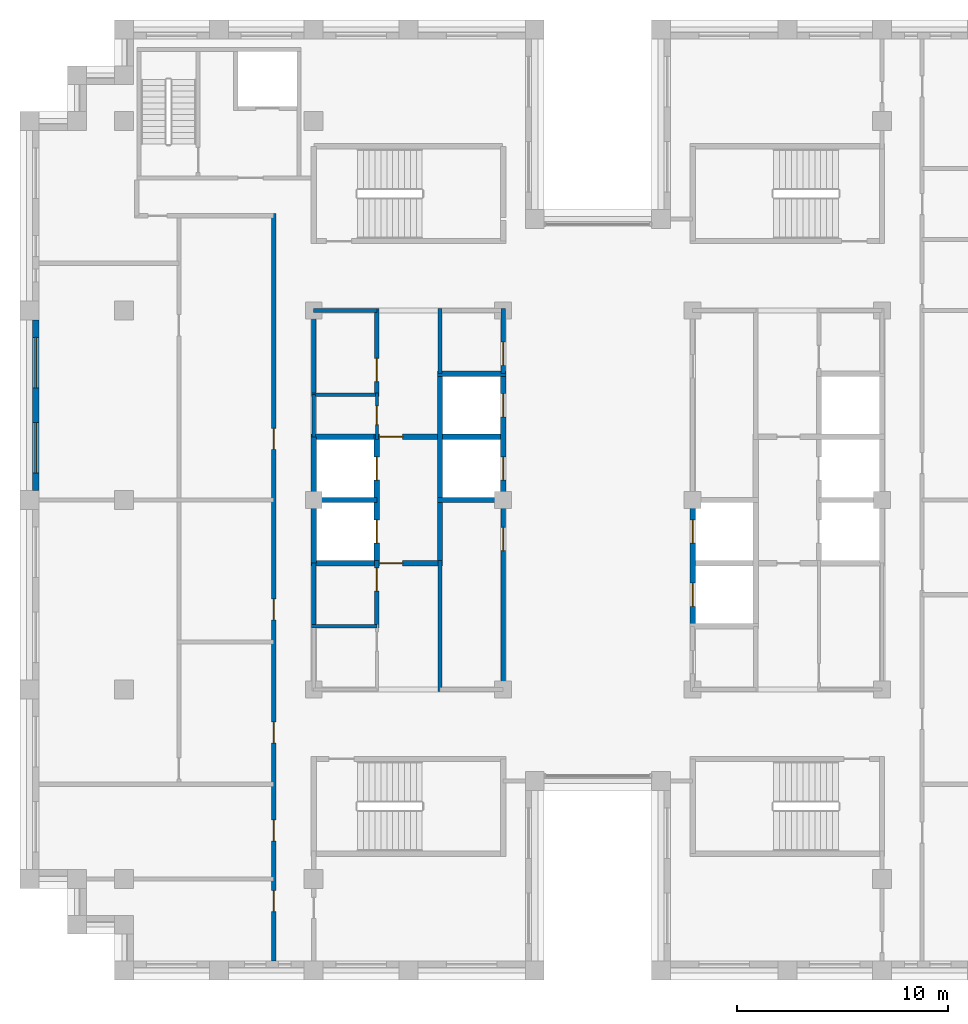
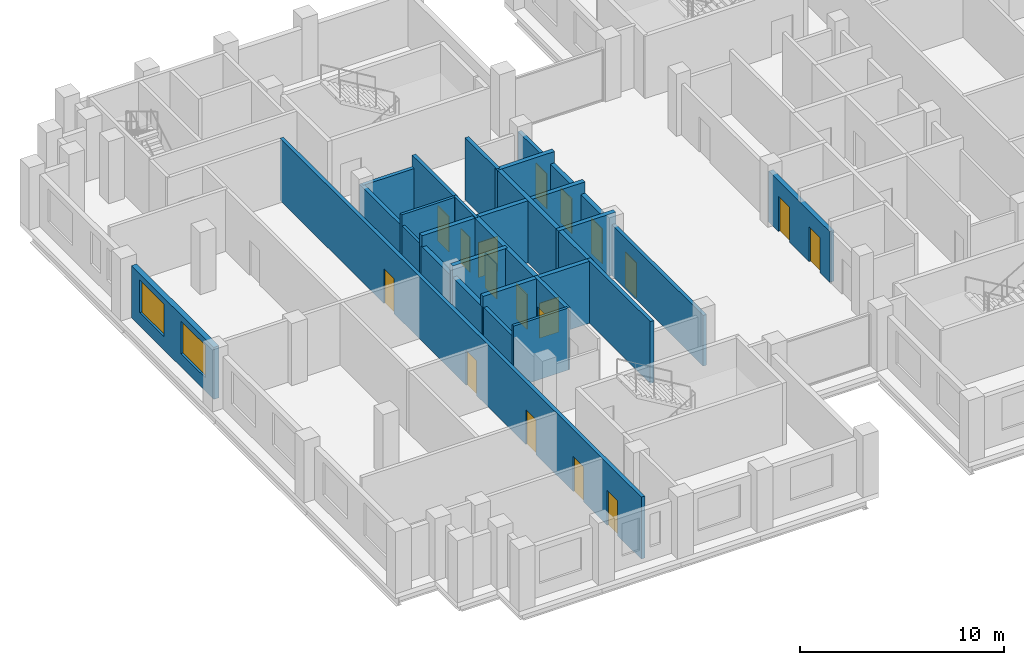
# One storey, part 7 of 13: 25 walls, 18 doors, 2 windows, 20 openings.
"""IFC4 building model written with IfcOpenShell, lengths in metres."""

from ifc_helpers import new_model, si_unit, direction, frame, frame_2d, origin, place, context, subcontext, project, spatial, rectangle, extrude, material, layer, layer_set, type_object, element, fill, save


model = new_model("IFC4")

# Units and contexts
model_context = context("Model", 3, precision=1e-05, world=origin(), true_north=direction((0.0, 1.0)))
body_context = subcontext(model_context, "Body", "Model", "MODEL_VIEW")
ifc_project = project(units=[si_unit("LENGTHUNIT", "METRE"), si_unit("AREAUNIT", "SQUARE_METRE"), si_unit("VOLUMEUNIT", "CUBIC_METRE"), si_unit("PLANEANGLEUNIT", "RADIAN"), si_unit("MASSUNIT", "GRAM", prefix="KILO")], contexts=[model_context])

# Site, building, storey
site_placement = place(None, origin())
site = spatial("IfcSite", under=ifc_project, at=site_placement, CompositionType="ELEMENT")
building_placement = place(site_placement, origin())
building = spatial("IfcBuilding", under=site, at=building_placement, Name="Corbelhall Arena Tower", CompositionType="ELEMENT")
storey_placement = place(building_placement, frame((0.0, 0.0, 254.0)))
storey = spatial("IfcBuildingStorey", under=building, at=storey_placement, Name="L54", CompositionType="ELEMENT", Elevation=254.0)

# Wall, openings, windows
ifc_material_1 = material(Name="Precast concrete C40/50 with granite facing", Category="masonry")
ifc_layer_1 = layer(ifc_material_1, 0.300048828125)
ifc_layer_set_1 = layer_set([ifc_layer_1], Name="EV-IW1 Infill panel 300")
wall_type_1 = type_object("IfcWallType", Name="EV-IW1 Infill panel 300", PredefinedType="SOLIDWALL", material=ifc_layer_set_1)
wall_1_placement = place(storey_placement, frame((-26.699951171875, 8.550048828125, 0.0), z_axis=(0.0, 0.0, 1.0), x_axis=(0.0, -1.0, 0.0)))
wall_1 = element("IfcWall", 1, at=wall_1_placement, inside=storey, type_object=wall_type_1, Name="Infill panel IW1", PredefinedType="SOLIDWALL", context=body_context, shape_type="SweptSolid", body=[
    extrude(rectangle(XDim=8.10009765625, YDim=0.300048828125, at=frame_2d((4.050048828125, 0.0))), origin(), (0.0, 0.0, 1.0), 3.1201171875),
])
opening_1_placement = place(wall_1_placement, frame((0.824951171875, 0.0, 0.800048828125)))
opening_1 = element("IfcOpeningElement", 2, at=opening_1_placement, cuts=wall_1, Name="Opening WN1", PredefinedType="OPENING", context=body_context, shape_type="SweptSolid", body=[
    extrude(rectangle(XDim=2.39990234375, YDim=1.949951171875, at=frame_2d((1.199951171875, 0.97509765625))), frame((0.0, 0.14990234375, 0.0), z_axis=(0.0, -1.0, 0.0), x_axis=(1.0, 0.0, 0.0)), (0.0, 0.0, 1.0), 0.300048828125),
])
opening_2_placement = place(wall_1_placement, frame((4.875, 0.0, 0.800048828125)))
opening_2 = element("IfcOpeningElement", 3, at=opening_2_placement, cuts=wall_1, Name="Opening WN1", PredefinedType="OPENING", context=body_context, shape_type="SweptSolid", body=[
    extrude(rectangle(XDim=2.39990234375, YDim=1.949951171875, at=frame_2d((1.199951171875, 0.97509765625))), frame((0.0, 0.14990234375, 0.0), z_axis=(0.0, -1.0, 0.0), x_axis=(1.0, 0.0, 0.0)), (0.0, 0.0, 1.0), 0.300048828125),
])
ifc_material_2 = material(Name="Aluminium black anodised", Category="aluminium")
window_type = type_object("IfcWindowType", Name="EV-WN1 Office window", PartitioningType="SINGLE_PANEL", PredefinedType="WINDOW", material=ifc_material_2)
window_1_placement = place(opening_1_placement, origin())
window_1 = element("IfcWindow", 4, at=window_1_placement, inside=storey, type_object=window_type, Name="Window WN1", OverallHeight=1.949951171875, OverallWidth=2.39990234375, PartitioningType="SINGLE_PANEL", PredefinedType="WINDOW", context=body_context, shape_type="SweptSolid", body=[
    extrude(rectangle(XDim=2.39990234375, YDim=1.949951171875, at=frame_2d((1.199951171875, 0.97509765625))), frame((0.0, 0.030029296875, 0.0), z_axis=(0.0, -1.0, 0.0), x_axis=(1.0, 0.0, 0.0)), (0.0, 0.0, 1.0), 0.06005859375),
])
fill(opening_1, window_1)
window_2_placement = place(opening_2_placement, origin())
window_2 = element("IfcWindow", 5, at=window_2_placement, inside=storey, type_object=window_type, Name="Window WN1", OverallHeight=1.949951171875, OverallWidth=2.39990234375, PartitioningType="SINGLE_PANEL", PredefinedType="WINDOW", context=body_context, shape_type="SweptSolid", body=[
    extrude(rectangle(XDim=2.39990234375, YDim=1.949951171875, at=frame_2d((1.199951171875, 0.97509765625))), frame((0.0, 0.030029296875, 0.0), z_axis=(0.0, -1.0, 0.0), x_axis=(1.0, 0.0, 0.0)), (0.0, 0.0, 1.0), 0.06005859375),
])
fill(opening_2, window_2)

# Wall, openings, doors
ifc_material_3 = material(Name="Gypsum board on steel stud, acoustic", Category="steel")
ifc_layer_2 = layer(ifc_material_3, 0.199951171875)
ifc_layer_set_2 = layer_set([ifc_layer_2], Name="IN-W-DM200")
wall_type_2 = type_object("IfcWallType", Name="IN-W-DM200", PredefinedType="PARTITIONING", material=ifc_layer_set_2)
wall_2_placement = place(storey_placement, frame((-15.39990234375, -21.89990234375, 0.0), z_axis=(0.0, 0.0, 1.0), x_axis=(0.0, 1.0, 0.0)))
wall_2 = element("IfcWall", 6, at=wall_2_placement, inside=storey, type_object=wall_type_2, Name="Partition 009", PredefinedType="PARTITIONING", context=body_context, shape_type="SweptSolid", body=[
    extrude(rectangle(XDim=35.5, YDim=0.199951171875, at=frame_2d((17.75, 0.0))), origin(), (0.0, 0.0, 1.0), 3.719970703125),
])
opening_3_placement = place(wall_2_placement, frame((24.300048828125, 0.0, 0.0)))
opening_3 = element("IfcOpeningElement", 7, at=opening_3_placement, cuts=wall_2, Name="Opening 17022", PredefinedType="OPENING", context=body_context, shape_type="SweptSolid", body=[
    extrude(rectangle(XDim=1.0, YDim=2.10009765625, at=frame_2d((0.5, 1.050048828125))), frame((0.0, 0.10009765625, 0.0), z_axis=(0.0, -1.0, 0.0), x_axis=(1.0, 0.0, 0.0)), (0.0, 0.0, 1.0), 0.199951171875),
])
opening_4_placement = place(wall_2_placement, frame((2.35009765625, 0.0, 0.0)))
opening_4 = element("IfcOpeningElement", 8, at=opening_4_placement, cuts=wall_2, Name="Opening 17024", PredefinedType="OPENING", context=body_context, shape_type="SweptSolid", body=[
    extrude(rectangle(XDim=1.0, YDim=2.10009765625, at=frame_2d((0.5, 1.050048828125))), frame((0.0, 0.10009765625, 0.0), z_axis=(0.0, -1.0, 0.0), x_axis=(1.0, 0.0, 0.0)), (0.0, 0.0, 1.0), 0.199951171875),
])
opening_5_placement = place(wall_2_placement, frame((5.699951171875, 0.0, 0.0)))
opening_5 = element("IfcOpeningElement", 9, at=opening_5_placement, cuts=wall_2, Name="Opening 17025", PredefinedType="OPENING", context=body_context, shape_type="SweptSolid", body=[
    extrude(rectangle(XDim=1.0, YDim=2.10009765625, at=frame_2d((0.5, 1.050048828125))), frame((0.0, 0.10009765625, 0.0), z_axis=(0.0, -1.0, 0.0), x_axis=(1.0, 0.0, 0.0)), (0.0, 0.0, 1.0), 0.199951171875),
])
opening_6_placement = place(wall_2_placement, frame((10.35009765625, 0.0, 0.0)))
opening_6 = element("IfcOpeningElement", 10, at=opening_6_placement, cuts=wall_2, Name="Opening 17026", PredefinedType="OPENING", context=body_context, shape_type="SweptSolid", body=[
    extrude(rectangle(XDim=1.0, YDim=2.10009765625, at=frame_2d((0.5, 1.050048828125))), frame((0.0, 0.10009765625, 0.0), z_axis=(0.0, -1.0, 0.0), x_axis=(1.0, 0.0, 0.0)), (0.0, 0.0, 1.0), 0.199951171875),
])
opening_7_placement = place(wall_2_placement, frame((16.199951171875, 0.0, 0.0)))
opening_7 = element("IfcOpeningElement", 11, at=opening_7_placement, cuts=wall_2, Name="Opening 17027", PredefinedType="OPENING", context=body_context, shape_type="SweptSolid", body=[
    extrude(rectangle(XDim=1.0, YDim=2.10009765625, at=frame_2d((0.5, 1.050048828125))), frame((0.0, 0.10009765625, 0.0), z_axis=(0.0, -1.0, 0.0), x_axis=(1.0, 0.0, 0.0)), (0.0, 0.0, 1.0), 0.199951171875),
])
ifc_material_4 = material(Name="Steel door set", Category="steel")
door_type_1 = type_object("IfcDoorType", Name="IN-D-SW100", OperationType="NOTDEFINED", PredefinedType="DOOR", material=ifc_material_4)
door_1_placement = place(opening_3_placement, origin())
door_1 = element("IfcDoor", 12, at=door_1_placement, inside=storey, type_object=door_type_1, Name="Door 022", OperationType="SINGLE_SWING_LEFT", OverallHeight=2.10009765625, OverallWidth=1.0, PredefinedType="DOOR", context=body_context, shape_type="SweptSolid", body=[
    extrude(rectangle(XDim=1.0, YDim=2.10009765625, at=frame_2d((0.5, 1.050048828125))), frame((0.0, 0.02490234375, 0.0), z_axis=(0.0, -1.0, 0.0), x_axis=(1.0, 0.0, 0.0)), (0.0, 0.0, 1.0), 0.050048828125),
])
fill(opening_3, door_1)
door_2_placement = place(opening_4_placement, origin())
door_2 = element("IfcDoor", 13, at=door_2_placement, inside=storey, type_object=door_type_1, Name="Door 024", OperationType="SINGLE_SWING_LEFT", OverallHeight=2.10009765625, OverallWidth=1.0, PredefinedType="DOOR", context=body_context, shape_type="SweptSolid", body=[
    extrude(rectangle(XDim=1.0, YDim=2.10009765625, at=frame_2d((0.5, 1.050048828125))), frame((0.0, 0.02490234375, 0.0), z_axis=(0.0, -1.0, 0.0), x_axis=(1.0, 0.0, 0.0)), (0.0, 0.0, 1.0), 0.050048828125),
])
fill(opening_4, door_2)
door_3_placement = place(opening_5_placement, origin())
door_3 = element("IfcDoor", 14, at=door_3_placement, inside=storey, type_object=door_type_1, Name="Door 025", OperationType="SINGLE_SWING_RIGHT", OverallHeight=2.10009765625, OverallWidth=1.0, PredefinedType="DOOR", context=body_context, shape_type="SweptSolid", body=[
    extrude(rectangle(XDim=1.0, YDim=2.10009765625, at=frame_2d((0.5, 1.050048828125))), frame((0.0, 0.02490234375, 0.0), z_axis=(0.0, -1.0, 0.0), x_axis=(1.0, 0.0, 0.0)), (0.0, 0.0, 1.0), 0.050048828125),
])
fill(opening_5, door_3)
door_4_placement = place(opening_6_placement, origin())
door_4 = element("IfcDoor", 15, at=door_4_placement, inside=storey, type_object=door_type_1, Name="Door 026", OperationType="SINGLE_SWING_LEFT", OverallHeight=2.10009765625, OverallWidth=1.0, PredefinedType="DOOR", context=body_context, shape_type="SweptSolid", body=[
    extrude(rectangle(XDim=1.0, YDim=2.10009765625, at=frame_2d((0.5, 1.050048828125))), frame((0.0, 0.02490234375, 0.0), z_axis=(0.0, -1.0, 0.0), x_axis=(1.0, 0.0, 0.0)), (0.0, 0.0, 1.0), 0.050048828125),
])
fill(opening_6, door_4)
door_5_placement = place(opening_7_placement, origin())
door_5 = element("IfcDoor", 16, at=door_5_placement, inside=storey, type_object=door_type_1, Name="Door 027", OperationType="SINGLE_SWING_RIGHT", OverallHeight=2.10009765625, OverallWidth=1.0, PredefinedType="DOOR", context=body_context, shape_type="SweptSolid", body=[
    extrude(rectangle(XDim=1.0, YDim=2.10009765625, at=frame_2d((0.5, 1.050048828125))), frame((0.0, 0.02490234375, 0.0), z_axis=(0.0, -1.0, 0.0), x_axis=(1.0, 0.0, 0.0)), (0.0, 0.0, 1.0), 0.050048828125),
])
fill(opening_7, door_5)

# Wall, opening, door
ifc_material_5 = material(Name="Concrete block wall", Category="concrete")
ifc_layer_3 = layer(ifc_material_5, 0.199951171875)
ifc_layer_set_3 = layer_set([ifc_layer_3], Name="IN-W-RS200")
wall_type_3 = type_object("IfcWallType", Name="IN-W-RS200", PredefinedType="SOLIDWALL", material=ifc_layer_set_3)
wall_3_placement = place(storey_placement, frame((-10.5, -6.074951171875, 0.0), z_axis=(0.0, 0.0, 1.0), x_axis=(0.0, 1.0, 0.0)))
wall_3 = element("IfcWall", 17, at=wall_3_placement, inside=storey, type_object=wall_type_3, Name="Partition 028", PredefinedType="SOLIDWALL", context=body_context, shape_type="SweptSolid", body=[
    extrude(rectangle(XDim=3.199951171875, YDim=0.199951171875, at=frame_2d((1.60009765625, 0.0))), origin(), (0.0, 0.0, 1.0), 3.719970703125),
])
opening_8_placement = place(wall_3_placement, frame((1.75, 0.0, 0.0)))
opening_8 = element("IfcOpeningElement", 18, at=opening_8_placement, cuts=wall_3, Name="Opening 17006", PredefinedType="OPENING", context=body_context, shape_type="SweptSolid", body=[
    extrude(rectangle(XDim=1.10009765625, YDim=2.10009765625, at=frame_2d((0.550048828125, 1.050048828125))), frame((0.0, 0.10009765625, 0.0), z_axis=(0.0, -1.0, 0.0), x_axis=(1.0, 0.0, 0.0)), (0.0, 0.0, 1.0), 0.199951171875),
])
door_type_2 = type_object("IfcDoorType", Name="IN-D-FD110", OperationType="NOTDEFINED", PredefinedType="DOOR", material=ifc_material_4)
door_6_placement = place(opening_8_placement, origin())
door_6 = element("IfcDoor", 19, at=door_6_placement, inside=storey, type_object=door_type_2, Name="Door 006", OperationType="SINGLE_SWING_LEFT", OverallHeight=2.10009765625, OverallWidth=1.10009765625, PredefinedType="DOOR", context=body_context, shape_type="SweptSolid", body=[
    extrude(rectangle(XDim=1.10009765625, YDim=2.10009765625, at=frame_2d((0.550048828125, 1.050048828125))), frame((0.0, 0.02490234375, 0.0), z_axis=(0.0, -1.0, 0.0), x_axis=(1.0, 0.0, 0.0)), (0.0, 0.0, 1.0), 0.050048828125),
])
fill(opening_8, door_6)

wall_4_placement = place(storey_placement, frame((-10.5, 4.925048828125, 0.0), z_axis=(0.0, 0.0, 1.0), x_axis=(0.0, 1.0, 0.0)))
wall_4 = element("IfcWall", 20, at=wall_4_placement, inside=storey, type_object=wall_type_3, Name="Partition 029", PredefinedType="SOLIDWALL", context=body_context, shape_type="SweptSolid", body=[
    extrude(rectangle(XDim=4.175048828125, YDim=0.199951171875, at=frame_2d((2.08740234375, 0.0))), origin(), (0.0, 0.0, 1.0), 3.719970703125),
])
opening_9_placement = place(wall_4_placement, frame((0.699951171875, 0.0, 0.0)))
opening_9 = element("IfcOpeningElement", 21, at=opening_9_placement, cuts=wall_4, Name="Opening 17008", PredefinedType="OPENING", context=body_context, shape_type="SweptSolid", body=[
    extrude(rectangle(XDim=1.10009765625, YDim=2.10009765625, at=frame_2d((0.550048828125, 1.050048828125))), frame((0.0, 0.10009765625, 0.0), z_axis=(0.0, -1.0, 0.0), x_axis=(1.0, 0.0, 0.0)), (0.0, 0.0, 1.0), 0.199951171875),
])
door_7_placement = place(opening_9_placement, origin())
door_7 = element("IfcDoor", 22, at=door_7_placement, inside=storey, type_object=door_type_2, Name="Door 008", OperationType="SINGLE_SWING_LEFT", OverallHeight=2.10009765625, OverallWidth=1.10009765625, PredefinedType="DOOR", context=body_context, shape_type="SweptSolid", body=[
    extrude(rectangle(XDim=1.10009765625, YDim=2.10009765625, at=frame_2d((0.550048828125, 1.050048828125))), frame((0.0, 0.02490234375, 0.0), z_axis=(0.0, -1.0, 0.0), x_axis=(1.0, 0.0, 0.0)), (0.0, 0.0, 1.0), 0.050048828125),
])
fill(opening_9, door_7)

# Walls
wall_5_placement = place(storey_placement, frame((-7.5, -9.10009765625, 0.0), z_axis=(0.0, 0.0, 1.0), x_axis=(0.0, 1.0, 0.0)))
element("IfcWall", 23, at=wall_5_placement, inside=storey, type_object=wall_type_3, Name="Partition 030", PredefinedType="SOLIDWALL", context=body_context, shape_type="SweptSolid", body=[
    extrude(rectangle(XDim=6.22509765625, YDim=0.199951171875, at=frame_2d((3.112548828125, 0.0))), origin(), (0.0, 0.0, 1.0), 3.719970703125),
])
wall_6_placement = place(storey_placement, frame((-7.5, 6.0, 0.0), z_axis=(0.0, 0.0, 1.0), x_axis=(0.0, 1.0, 0.0)))
element("IfcWall", 24, at=wall_6_placement, inside=storey, type_object=wall_type_3, Name="Partition 031", PredefinedType="SOLIDWALL", context=body_context, shape_type="SweptSolid", body=[
    extrude(rectangle(XDim=3.10009765625, YDim=0.199951171875, at=frame_2d((1.550048828125, 0.0))), origin(), (0.0, 0.0, 1.0), 3.719970703125),
])
ifc_layer_4 = layer(ifc_material_5, 0.199951171875)
ifc_layer_set_4 = layer_set([ifc_layer_4], Name="IN-W-RS200 under beam 678 mm")
wall_type_4 = type_object("IfcWallType", Name="IN-W-RS200 under beam 678 mm", PredefinedType="SOLIDWALL", material=ifc_layer_set_4)
wall_7_placement = place(storey_placement, frame((-13.5, -6.0, 0.0), z_axis=(0.0, 0.0, 1.0), x_axis=(0.0, 1.0, 0.0)))
element("IfcWall", 25, at=wall_7_placement, inside=storey, type_object=wall_type_4, Name="Partition 025", PredefinedType="SOLIDWALL", context=body_context, shape_type="SweptSolid", body=[
    extrude(rectangle(XDim=3.0, YDim=0.199951171875, at=frame_2d((1.5, 0.0))), origin(), (0.0, 0.0, 1.0), 3.041748046875),
])
wall_8_placement = place(storey_placement, frame((-13.5, 5.0, 0.0), z_axis=(0.0, 0.0, 1.0), x_axis=(0.0, 1.0, 0.0)))
element("IfcWall", 26, at=wall_8_placement, inside=storey, type_object=wall_type_4, Name="Partition 026", PredefinedType="SOLIDWALL", context=body_context, shape_type="SweptSolid", body=[
    extrude(rectangle(XDim=4.10009765625, YDim=0.199951171875, at=frame_2d((2.050048828125, 0.0))), origin(), (0.0, 0.0, 1.0), 3.041748046875),
])
wall_9_placement = place(storey_placement, frame((-13.5, 9.0, 0.0), z_axis=(0.0, 0.0, 1.0), x_axis=(1.0, 0.0, 0.0)))
element("IfcWall", 27, at=wall_9_placement, inside=storey, type_object=wall_type_4, Name="Partition 027", PredefinedType="SOLIDWALL", context=body_context, shape_type="SweptSolid", body=[
    extrude(rectangle(XDim=3.0, YDim=0.199951171875, at=frame_2d((1.5, 0.0))), origin(), (0.0, 0.0, 1.0), 3.041748046875),
])

# Wall, opening, door
wall_10_placement = place(storey_placement, frame((-4.5, 0.0, 0.0), z_axis=(0.0, 0.0, 1.0), x_axis=(0.0, -1.0, 0.0)))
wall_10 = element("IfcWall", 28, at=wall_10_placement, inside=storey, type_object=wall_type_4, Name="Partition 034", PredefinedType="SOLIDWALL", context=body_context, shape_type="SweptSolid", body=[
    extrude(rectangle(XDim=9.10009765625, YDim=0.199951171875, at=frame_2d((4.550048828125, 0.0))), origin(), (0.0, 0.0, 1.0), 3.041748046875),
])
opening_10_placement = place(wall_10_placement, frame((1.300048828125, 0.0, 0.0)))
opening_10 = element("IfcOpeningElement", 29, at=opening_10_placement, cuts=wall_10, Name="Opening 17001", PredefinedType="OPENING", context=body_context, shape_type="SweptSolid", body=[
    extrude(rectangle(XDim=1.10009765625, YDim=2.10009765625, at=frame_2d((0.550048828125, 1.050048828125))), frame((0.0, 0.10009765625, 0.0), z_axis=(0.0, -1.0, 0.0), x_axis=(1.0, 0.0, 0.0)), (0.0, 0.0, 1.0), 0.199951171875),
])
door_8_placement = place(opening_10_placement, origin())
door_8 = element("IfcDoor", 30, at=door_8_placement, inside=storey, type_object=door_type_2, Name="Door 001", OperationType="SINGLE_SWING_RIGHT", OverallHeight=2.10009765625, OverallWidth=1.10009765625, PredefinedType="DOOR", context=body_context, shape_type="SweptSolid", body=[
    extrude(rectangle(XDim=1.10009765625, YDim=2.10009765625, at=frame_2d((0.550048828125, 1.050048828125))), frame((0.0, 0.02490234375, 0.0), z_axis=(0.0, -1.0, 0.0), x_axis=(1.0, 0.0, 0.0)), (0.0, 0.0, 1.0), 0.050048828125),
])
fill(opening_10, door_8)

wall_11_placement = place(storey_placement, frame((-4.5, 9.10009765625, 0.0), z_axis=(0.0, 0.0, 1.0), x_axis=(0.0, -1.0, 0.0)))
wall_11 = element("IfcWall", 31, at=wall_11_placement, inside=storey, type_object=wall_type_4, Name="Partition 035", PredefinedType="SOLIDWALL", context=body_context, shape_type="SweptSolid", body=[
    extrude(rectangle(XDim=3.10009765625, YDim=0.199951171875, at=frame_2d((1.550048828125, 0.0))), origin(), (0.0, 0.0, 1.0), 3.041748046875),
])
opening_11_placement = place(wall_11_placement, frame((1.60009765625, 0.0, 0.0)))
opening_11 = element("IfcOpeningElement", 32, at=opening_11_placement, cuts=wall_11, Name="Opening 17002", PredefinedType="OPENING", context=body_context, shape_type="SweptSolid", body=[
    extrude(rectangle(XDim=1.10009765625, YDim=2.10009765625, at=frame_2d((0.550048828125, 1.050048828125))), frame((0.0, 0.10009765625, 0.0), z_axis=(0.0, -1.0, 0.0), x_axis=(1.0, 0.0, 0.0)), (0.0, 0.0, 1.0), 0.199951171875),
])
door_9_placement = place(opening_11_placement, origin())
door_9 = element("IfcDoor", 33, at=door_9_placement, inside=storey, type_object=door_type_2, Name="Door 002", OperationType="SINGLE_SWING_LEFT", OverallHeight=2.10009765625, OverallWidth=1.10009765625, PredefinedType="DOOR", context=body_context, shape_type="SweptSolid", body=[
    extrude(rectangle(XDim=1.10009765625, YDim=2.10009765625, at=frame_2d((0.550048828125, 1.050048828125))), frame((0.0, 0.02490234375, 0.0), z_axis=(0.0, -1.0, 0.0), x_axis=(1.0, 0.0, 0.0)), (0.0, 0.0, 1.0), 0.050048828125),
])
fill(opening_11, door_9)

# Wall
ifc_material_6 = material(Name="Concrete C40/50", Category="concrete")
ifc_layer_5 = layer(ifc_material_6, 0.25)
ifc_layer_set_5 = layer_set([ifc_layer_5], Name="IN-W-SH250")
wall_type_5 = type_object("IfcWallType", Name="IN-W-SH250", PredefinedType="SOLIDWALL", material=ifc_layer_set_5)
wall_12_placement = place(storey_placement, frame((-13.625, 0.0, 0.0), z_axis=(0.0, 0.0, 1.0), x_axis=(1.0, 0.0, 0.0)))
element("IfcWall", 34, at=wall_12_placement, inside=storey, type_object=wall_type_5, Name="Shaft wall 045", PredefinedType="SOLIDWALL", context=body_context, shape_type="SweptSolid", body=[
    extrude(rectangle(XDim=3.125, YDim=0.25, at=frame_2d((1.5625, 0.0))), origin(), (0.0, 0.0, 1.0), 3.719970703125),
])

# Wall, opening, door
wall_13_placement = place(storey_placement, frame((-13.625, 3.0, 0.0), z_axis=(0.0, 0.0, 1.0), x_axis=(1.0, 0.0, 0.0)))
wall_13 = element("IfcWall", 35, at=wall_13_placement, inside=storey, type_object=wall_type_5, Name="Shaft wall 046", PredefinedType="SOLIDWALL", context=body_context, shape_type="SweptSolid", body=[
    extrude(rectangle(XDim=9.25, YDim=0.25, at=frame_2d((4.625, 0.0))), origin(), (0.0, 0.0, 1.0), 3.719970703125),
])
opening_12_placement = place(wall_13_placement, frame((3.25, 0.0, 0.0)))
opening_12 = element("IfcOpeningElement", 36, at=opening_12_placement, cuts=wall_13, Name="Opening 17004", PredefinedType="OPENING", context=body_context, shape_type="SweptSolid", body=[
    extrude(rectangle(XDim=1.10009765625, YDim=2.10009765625, at=frame_2d((0.550048828125, 1.050048828125))), frame((0.0, 0.125, 0.0), z_axis=(0.0, -1.0, 0.0), x_axis=(1.0, 0.0, 0.0)), (0.0, 0.0, 1.0), 0.25),
])
door_10_placement = place(opening_12_placement, origin())
door_10 = element("IfcDoor", 37, at=door_10_placement, inside=storey, type_object=door_type_2, Name="Door 004", OperationType="SINGLE_SWING_LEFT", OverallHeight=2.10009765625, OverallWidth=1.10009765625, PredefinedType="DOOR", context=body_context, shape_type="SweptSolid", body=[
    extrude(rectangle(XDim=1.10009765625, YDim=2.10009765625, at=frame_2d((0.550048828125, 1.050048828125))), frame((0.0, 0.02490234375, 0.0), z_axis=(0.0, -1.0, 0.0), x_axis=(1.0, 0.0, 0.0)), (0.0, 0.0, 1.0), 0.050048828125),
])
fill(opening_12, door_10)

wall_14_placement = place(storey_placement, frame((-13.625, -3.0, 0.0), z_axis=(0.0, 0.0, 1.0), x_axis=(1.0, 0.0, 0.0)))
wall_14 = element("IfcWall", 38, at=wall_14_placement, inside=storey, type_object=wall_type_5, Name="Shaft wall 048", PredefinedType="SOLIDWALL", context=body_context, shape_type="SweptSolid", body=[
    extrude(rectangle(XDim=6.125, YDim=0.25, at=frame_2d((3.0625, 0.0))), origin(), (0.0, 0.0, 1.0), 3.719970703125),
])
opening_13_placement = place(wall_14_placement, frame((3.25, 0.0, 0.0)))
opening_13 = element("IfcOpeningElement", 39, at=opening_13_placement, cuts=wall_14, Name="Opening 17003", PredefinedType="OPENING", context=body_context, shape_type="SweptSolid", body=[
    extrude(rectangle(XDim=1.10009765625, YDim=2.10009765625, at=frame_2d((0.550048828125, 1.050048828125))), frame((0.0, 0.125, 0.0), z_axis=(0.0, -1.0, 0.0), x_axis=(1.0, 0.0, 0.0)), (0.0, 0.0, 1.0), 0.25),
])
door_11_placement = place(opening_13_placement, origin())
door_11 = element("IfcDoor", 40, at=door_11_placement, inside=storey, type_object=door_type_2, Name="Door 003", OperationType="SINGLE_SWING_RIGHT", OverallHeight=2.10009765625, OverallWidth=1.10009765625, PredefinedType="DOOR", context=body_context, shape_type="SweptSolid", body=[
    extrude(rectangle(XDim=1.10009765625, YDim=2.10009765625, at=frame_2d((0.550048828125, 1.050048828125))), frame((0.0, 0.02490234375, 0.0), z_axis=(0.0, -1.0, 0.0), x_axis=(1.0, 0.0, 0.0)), (0.0, 0.0, 1.0), 0.050048828125),
])
fill(opening_13, door_11)

# Wall, openings, doors
wall_15_placement = place(storey_placement, frame((-10.5, -3.125, 0.0), z_axis=(0.0, 0.0, 1.0), x_axis=(0.0, 1.0, 0.0)))
wall_15 = element("IfcWall", 41, at=wall_15_placement, inside=storey, type_object=wall_type_5, Name="Shaft wall 049", PredefinedType="SOLIDWALL", context=body_context, shape_type="SweptSolid", body=[
    extrude(rectangle(XDim=6.25, YDim=0.25, at=frame_2d((3.125, 0.0))), origin(), (0.0, 0.0, 1.0), 3.719970703125),
])
opening_14_placement = place(wall_15_placement, frame((1.074951171875, 0.0, 0.0)))
opening_14 = element("IfcOpeningElement", 42, at=opening_14_placement, cuts=wall_15, Name="Opening LD", PredefinedType="OPENING", context=body_context, shape_type="SweptSolid", body=[
    extrude(rectangle(XDim=1.10009765625, YDim=2.10009765625, at=frame_2d((0.550048828125, 1.050048828125))), frame((0.0, 0.125, 0.0), z_axis=(0.0, -1.0, 0.0), x_axis=(1.0, 0.0, 0.0)), (0.0, 0.0, 1.0), 0.25),
])
opening_15_placement = place(wall_15_placement, frame((4.074951171875, 0.0, 0.0)))
opening_15 = element("IfcOpeningElement", 43, at=opening_15_placement, cuts=wall_15, Name="Opening LD", PredefinedType="OPENING", context=body_context, shape_type="SweptSolid", body=[
    extrude(rectangle(XDim=1.10009765625, YDim=2.10009765625, at=frame_2d((0.550048828125, 1.050048828125))), frame((0.0, 0.125, 0.0), z_axis=(0.0, -1.0, 0.0), x_axis=(1.0, 0.0, 0.0)), (0.0, 0.0, 1.0), 0.25),
])
door_type_3 = type_object("IfcDoorType", Name="IN-D-LD110", OperationType="NOTDEFINED", PredefinedType="DOOR", material=ifc_material_4)
door_12_placement = place(opening_14_placement, origin())
door_12 = element("IfcDoor", 44, at=door_12_placement, inside=storey, type_object=door_type_3, Name="Landing door W3", OperationType="SLIDING_TO_LEFT", OverallHeight=2.10009765625, OverallWidth=1.10009765625, PredefinedType="DOOR", context=body_context, shape_type="SweptSolid", body=[
    extrude(rectangle(XDim=1.10009765625, YDim=2.10009765625, at=frame_2d((0.550048828125, 1.050048828125))), frame((0.0, 0.02490234375, 0.0), z_axis=(0.0, -1.0, 0.0), x_axis=(1.0, 0.0, 0.0)), (0.0, 0.0, 1.0), 0.050048828125),
])
fill(opening_14, door_12)
door_13_placement = place(opening_15_placement, origin())
door_13 = element("IfcDoor", 45, at=door_13_placement, inside=storey, type_object=door_type_3, Name="Landing door W4", OperationType="SLIDING_TO_LEFT", OverallHeight=2.10009765625, OverallWidth=1.10009765625, PredefinedType="DOOR", context=body_context, shape_type="SweptSolid", body=[
    extrude(rectangle(XDim=1.10009765625, YDim=2.10009765625, at=frame_2d((0.550048828125, 1.050048828125))), frame((0.0, 0.02490234375, 0.0), z_axis=(0.0, -1.0, 0.0), x_axis=(1.0, 0.0, 0.0)), (0.0, 0.0, 1.0), 0.050048828125),
])
fill(opening_15, door_13)

# Walls
for number, where, z_axis, x_axis, name in (
    (46, (-7.625, 0.0, 0.0), (0.0, 0.0, 1.0), (1.0, 0.0, 0.0), "Shaft wall 050"),
    (47, (-7.625, 6.0, 0.0), (0.0, 0.0, 1.0), (1.0, 0.0, 0.0), "Shaft wall 051"),
):
    element("IfcWall", number, at=place(storey_placement, frame(where, z_axis=z_axis, x_axis=x_axis)), inside=storey, type_object=wall_type_5, Name=name, PredefinedType="SOLIDWALL", context=body_context, shape_type="SweptSolid", body=[
        extrude(rectangle(XDim=3.25, YDim=0.25, at=frame_2d((1.625, 0.0))), origin(), (0.0, 0.0, 1.0), 3.719970703125),
    ])
wall_16_placement = place(storey_placement, frame((-7.5, -3.125, 0.0), z_axis=(0.0, 0.0, 1.0), x_axis=(0.0, 1.0, 0.0)))
element("IfcWall", 48, at=wall_16_placement, inside=storey, type_object=wall_type_5, Name="Shaft wall 052", PredefinedType="SOLIDWALL", context=body_context, shape_type="SweptSolid", body=[
    extrude(rectangle(XDim=9.125, YDim=0.25, at=frame_2d((4.5625, 0.0))), origin(), (0.0, 0.0, 1.0), 3.719970703125),
])
ifc_layer_6 = layer(ifc_material_6, 0.25)
ifc_layer_set_6 = layer_set([ifc_layer_6], Name="IN-W-SH250 under beam 678 mm")
wall_type_6 = type_object("IfcWallType", Name="IN-W-SH250 under beam 678 mm", PredefinedType="SOLIDWALL", material=ifc_layer_set_6)
wall_17_placement = place(storey_placement, frame((-13.5, -3.0, 0.0), z_axis=(0.0, 0.0, 1.0), x_axis=(0.0, 1.0, 0.0)))
element("IfcWall", 49, at=wall_17_placement, inside=storey, type_object=wall_type_6, Name="Shaft wall 047", PredefinedType="SOLIDWALL", context=body_context, shape_type="SweptSolid", body=[
    extrude(rectangle(XDim=6.0, YDim=0.25, at=frame_2d((3.0, 0.0))), origin(), (0.0, 0.0, 1.0), 3.041748046875),
])

# Wall, openings, doors
wall_18_placement = place(storey_placement, frame((-4.5, 6.0, 0.0), z_axis=(0.0, 0.0, 1.0), x_axis=(0.0, -1.0, 0.0)))
wall_18 = element("IfcWall", 50, at=wall_18_placement, inside=storey, type_object=wall_type_6, Name="Shaft wall 053", PredefinedType="SOLIDWALL", context=body_context, shape_type="SweptSolid", body=[
    extrude(rectangle(XDim=6.0, YDim=0.25, at=frame_2d((3.0, 0.0))), origin(), (0.0, 0.0, 1.0), 3.041748046875),
])
opening_16_placement = place(wall_18_placement, frame((3.949951171875, 0.0, 0.0)))
opening_16 = element("IfcOpeningElement", 51, at=opening_16_placement, cuts=wall_18, Name="Opening LD", PredefinedType="OPENING", context=body_context, shape_type="SweptSolid", body=[
    extrude(rectangle(XDim=1.10009765625, YDim=2.10009765625, at=frame_2d((0.550048828125, 1.050048828125))), frame((0.0, 0.125, 0.0), z_axis=(0.0, -1.0, 0.0), x_axis=(1.0, 0.0, 0.0)), (0.0, 0.0, 1.0), 0.25),
])
opening_17_placement = place(wall_18_placement, frame((0.949951171875, 0.0, 0.0)))
opening_17 = element("IfcOpeningElement", 52, at=opening_17_placement, cuts=wall_18, Name="Opening LD", PredefinedType="OPENING", context=body_context, shape_type="SweptSolid", body=[
    extrude(rectangle(XDim=1.10009765625, YDim=2.10009765625, at=frame_2d((0.550048828125, 1.050048828125))), frame((0.0, 0.125, 0.0), z_axis=(0.0, -1.0, 0.0), x_axis=(1.0, 0.0, 0.0)), (0.0, 0.0, 1.0), 0.25),
])
door_14_placement = place(opening_16_placement, origin())
door_14 = element("IfcDoor", 53, at=door_14_placement, inside=storey, type_object=door_type_3, Name="Landing door W4", OperationType="SLIDING_TO_LEFT", OverallHeight=2.10009765625, OverallWidth=1.10009765625, PredefinedType="DOOR", context=body_context, shape_type="SweptSolid", body=[
    extrude(rectangle(XDim=1.10009765625, YDim=2.10009765625, at=frame_2d((0.550048828125, 1.050048828125))), frame((0.0, 0.02490234375, 0.0), z_axis=(0.0, -1.0, 0.0), x_axis=(1.0, 0.0, 0.0)), (0.0, 0.0, 1.0), 0.050048828125),
])
fill(opening_16, door_14)
door_15_placement = place(opening_17_placement, origin())
door_15 = element("IfcDoor", 54, at=door_15_placement, inside=storey, type_object=door_type_3, Name="Landing door W5", OperationType="SLIDING_TO_LEFT", OverallHeight=2.10009765625, OverallWidth=1.10009765625, PredefinedType="DOOR", context=body_context, shape_type="SweptSolid", body=[
    extrude(rectangle(XDim=1.10009765625, YDim=2.10009765625, at=frame_2d((0.550048828125, 1.050048828125))), frame((0.0, 0.02490234375, 0.0), z_axis=(0.0, -1.0, 0.0), x_axis=(1.0, 0.0, 0.0)), (0.0, 0.0, 1.0), 0.050048828125),
])
fill(opening_17, door_15)

wall_19_placement = place(storey_placement, frame((4.5, -6.0, 0.0), z_axis=(0.0, 0.0, 1.0), x_axis=(0.0, 1.0, 0.0)))
wall_19 = element("IfcWall", 55, at=wall_19_placement, inside=storey, type_object=wall_type_6, Name="Shaft wall 057", PredefinedType="SOLIDWALL", context=body_context, shape_type="SweptSolid", body=[
    extrude(rectangle(XDim=6.0, YDim=0.25, at=frame_2d((3.0, 0.0))), origin(), (0.0, 0.0, 1.0), 3.041748046875),
])
opening_18_placement = place(wall_19_placement, frame((0.949951171875, 0.0, 0.0)))
opening_18 = element("IfcOpeningElement", 56, at=opening_18_placement, cuts=wall_19, Name="Opening LD", PredefinedType="OPENING", context=body_context, shape_type="SweptSolid", body=[
    extrude(rectangle(XDim=1.10009765625, YDim=2.10009765625, at=frame_2d((0.550048828125, 1.050048828125))), frame((0.0, 0.125, 0.0), z_axis=(0.0, -1.0, 0.0), x_axis=(1.0, 0.0, 0.0)), (0.0, 0.0, 1.0), 0.25),
])
opening_19_placement = place(wall_19_placement, frame((3.949951171875, 0.0, 0.0)))
opening_19 = element("IfcOpeningElement", 57, at=opening_19_placement, cuts=wall_19, Name="Opening LD", PredefinedType="OPENING", context=body_context, shape_type="SweptSolid", body=[
    extrude(rectangle(XDim=1.10009765625, YDim=2.10009765625, at=frame_2d((0.550048828125, 1.050048828125))), frame((0.0, 0.125, 0.0), z_axis=(0.0, -1.0, 0.0), x_axis=(1.0, 0.0, 0.0)), (0.0, 0.0, 1.0), 0.25),
])
door_16_placement = place(opening_18_placement, origin())
door_16 = element("IfcDoor", 58, at=door_16_placement, inside=storey, type_object=door_type_3, Name="Landing door E2", OperationType="SLIDING_TO_LEFT", OverallHeight=2.10009765625, OverallWidth=1.10009765625, PredefinedType="DOOR", context=body_context, shape_type="SweptSolid", body=[
    extrude(rectangle(XDim=1.10009765625, YDim=2.10009765625, at=frame_2d((0.550048828125, 1.050048828125))), frame((0.0, 0.02490234375, 0.0), z_axis=(0.0, -1.0, 0.0), x_axis=(1.0, 0.0, 0.0)), (0.0, 0.0, 1.0), 0.050048828125),
])
fill(opening_18, door_16)
door_17_placement = place(opening_19_placement, origin())
door_17 = element("IfcDoor", 59, at=door_17_placement, inside=storey, type_object=door_type_3, Name="Landing door E3", OperationType="SLIDING_TO_LEFT", OverallHeight=2.10009765625, OverallWidth=1.10009765625, PredefinedType="DOOR", context=body_context, shape_type="SweptSolid", body=[
    extrude(rectangle(XDim=1.10009765625, YDim=2.10009765625, at=frame_2d((0.550048828125, 1.050048828125))), frame((0.0, 0.02490234375, 0.0), z_axis=(0.0, -1.0, 0.0), x_axis=(1.0, 0.0, 0.0)), (0.0, 0.0, 1.0), 0.050048828125),
])
fill(opening_19, door_17)

# Walls
ifc_material_7 = material(Name="Gypsum board on steel stud, moisture resistant", Category="steel")
ifc_layer_7 = layer(ifc_material_7, 0.14990234375)
ifc_layer_set_7 = layer_set([ifc_layer_7], Name="IN-W-WC150")
wall_type_7 = type_object("IfcWallType", Name="IN-W-WC150", PredefinedType="PARTITIONING", material=ifc_layer_set_7)
for number, where, z_axis, x_axis, name in (
    (60, (-13.60009765625, -6.0, 0.0), (0.0, 0.0, 1.0), (1.0, 0.0, 0.0), "Partition 081"),
    (61, (-13.60009765625, 5.0, 0.0), (0.0, 0.0, 1.0), (1.0, 0.0, 0.0), "Partition 082"),
):
    element("IfcWall", number, at=place(storey_placement, frame(where, z_axis=z_axis, x_axis=x_axis)), inside=storey, type_object=wall_type_7, Name=name, PredefinedType="PARTITIONING", context=body_context, shape_type="SweptSolid", body=[
        extrude(rectangle(XDim=3.10009765625, YDim=0.14990234375, at=frame_2d((1.550048828125, 0.0))), origin(), (0.0, 0.0, 1.0), 3.719970703125),
    ])

# Wall, opening, door
wall_20_placement = place(storey_placement, frame((-10.5, 2.875, 0.0), z_axis=(0.0, 0.0, 1.0), x_axis=(0.0, 1.0, 0.0)))
wall_20 = element("IfcWall", 62, at=wall_20_placement, inside=storey, type_object=wall_type_7, Name="Partition 087", PredefinedType="PARTITIONING", context=body_context, shape_type="SweptSolid", body=[
    extrude(rectangle(XDim=2.199951171875, YDim=0.14990234375, at=frame_2d((1.10009765625, 0.0))), origin(), (0.0, 0.0, 1.0), 3.719970703125),
])
opening_20_placement = place(wall_20_placement, frame((0.699951171875, 0.0, 0.0)))
opening_20 = element("IfcOpeningElement", 63, at=opening_20_placement, cuts=wall_20, Name="Opening 17007", PredefinedType="OPENING", context=body_context, shape_type="SweptSolid", body=[
    extrude(rectangle(XDim=0.89990234375, YDim=2.10009765625, at=frame_2d((0.449951171875, 1.050048828125))), frame((0.0, 0.074951171875, 0.0), z_axis=(0.0, -1.0, 0.0), x_axis=(1.0, 0.0, 0.0)), (0.0, 0.0, 1.0), 0.14990234375),
])
ifc_material_8 = material(Name="Timber door set", Category="wood")
door_type_4 = type_object("IfcDoorType", Name="IN-D-SW90", OperationType="NOTDEFINED", PredefinedType="DOOR", material=ifc_material_8)
door_18_placement = place(opening_20_placement, origin())
door_18 = element("IfcDoor", 64, at=door_18_placement, inside=storey, type_object=door_type_4, Name="Door 007", OperationType="SINGLE_SWING_RIGHT", OverallHeight=2.10009765625, OverallWidth=0.89990234375, PredefinedType="DOOR", context=body_context, shape_type="SweptSolid", body=[
    extrude(rectangle(XDim=0.89990234375, YDim=2.10009765625, at=frame_2d((0.449951171875, 1.050048828125))), frame((0.0, 0.02490234375, 0.0), z_axis=(0.0, -1.0, 0.0), x_axis=(1.0, 0.0, 0.0)), (0.0, 0.0, 1.0), 0.050048828125),
])
fill(opening_20, door_18)

# Wall
ifc_layer_8 = layer(ifc_material_7, 0.14990234375)
ifc_layer_set_8 = layer_set([ifc_layer_8], Name="IN-W-WC150 under beam 678 mm")
wall_type_8 = type_object("IfcWallType", Name="IN-W-WC150 under beam 678 mm", PredefinedType="PARTITIONING", material=ifc_layer_set_8)
wall_21_placement = place(storey_placement, frame((-13.5, 3.0, 0.0), z_axis=(0.0, 0.0, 1.0), x_axis=(0.0, 1.0, 0.0)))
element("IfcWall", 65, at=wall_21_placement, inside=storey, type_object=wall_type_8, Name="Partition 084", PredefinedType="PARTITIONING", context=body_context, shape_type="SweptSolid", body=[
    extrude(rectangle(XDim=2.0, YDim=0.14990234375, at=frame_2d((1.0, 0.0))), origin(), (0.0, 0.0, 1.0), 3.041748046875),
])

save(model, "model.ifc")
